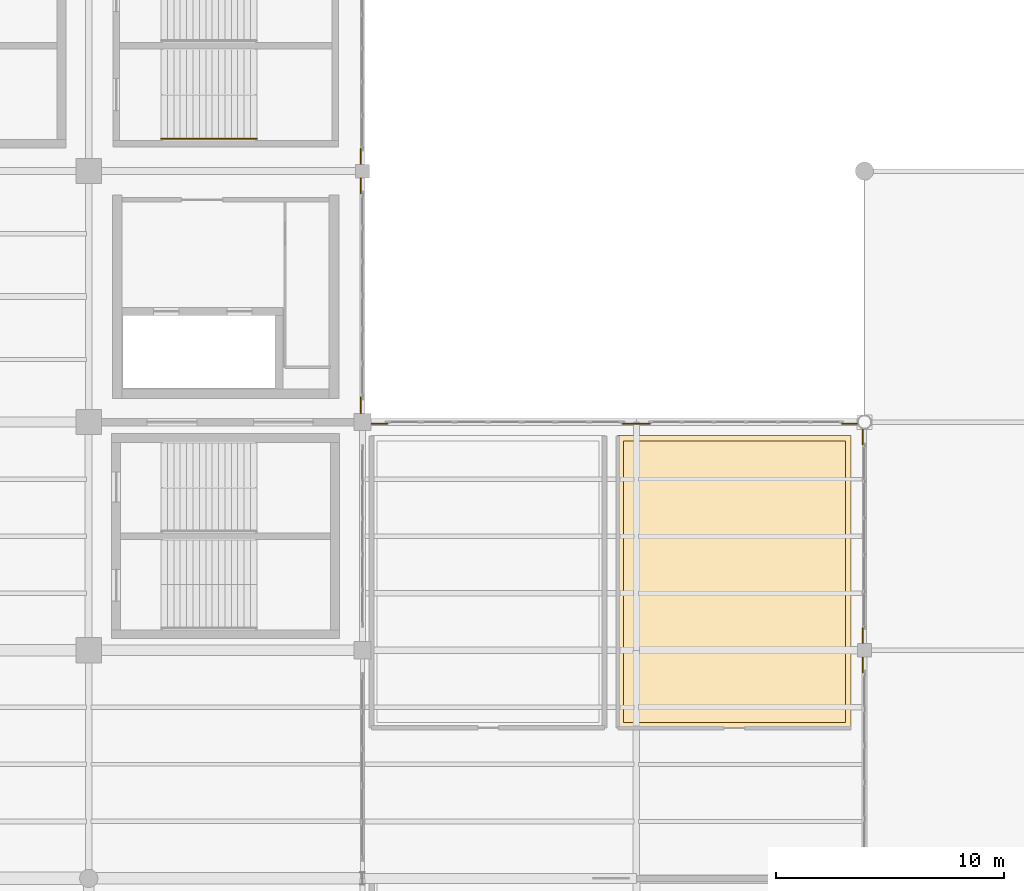
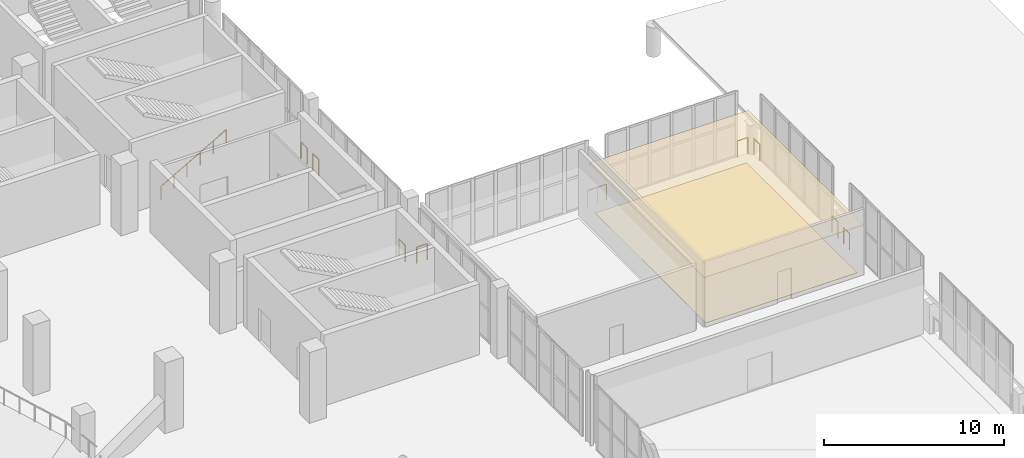
# One storey, part 135 of 136: 10 railings, 2 coverings.
"""IFC4 building model written with IfcOpenShell, lengths in metres."""

import ifcopenshell
import ifcopenshell.guid

model = None  # the IFC model being written
_history = None  # IfcOwnerHistory: only IFC2X3 demands one
_inside = {}  # id of a spatial element -> (the spatial element, [elements in it])
_under = {}  # id of a project, library or spatial element -> (it, [spatial elements below it])
_declared = {}  # id of a project -> (the project, [libraries it declares])
_typed = {}  # id of a type object -> (the type object, [elements of that type])
_made_of = {}  # id of a material, layer set ... -> (it, [elements and type objects made of it])


def new_model(schema):
    """Start an empty IFC model of exactly this schema.

    Asked for "IFC4X3", IfcOpenShell would pick the latest addendum, in which some entities
    have other attributes; the version numbers below select the first issue.
    IFC2X3 requires an IfcOwnerHistory on every rooted entity: one is made here for all.
    """
    global model, _history
    if schema == "IFC4X3":
        model = ifcopenshell.file(schema_version=(4, 3, 0, 0))
    else:
        model = ifcopenshell.file(schema=schema)
    _inside.clear()
    _under.clear()
    _declared.clear()
    _typed.clear()
    _made_of.clear()
    _history = None
    if model.schema == "IFC2X3":
        org = make("IfcOrganization", Name="unknown")
        user = make(
            "IfcPersonAndOrganization",
            ThePerson=make("IfcPerson", FamilyName="unknown"),
            TheOrganization=org,
        )
        app = make(
            "IfcApplication",
            ApplicationDeveloper=org,
            Version="unknown",
            ApplicationFullName="unknown",
            ApplicationIdentifier="unknown",
        )
        _history = make(
            "IfcOwnerHistory",
            OwningUser=user,
            OwningApplication=app,
            ChangeAction="ADDED",
            CreationDate=0,
        )
    return model


def make(cls, **values):
    """One entity of the class cls with the attributes given. An attribute that is None is left unset."""
    return model.create_entity(
        cls, **{name: value for name, value in values.items() if value is not None}
    )


def rooted(cls, **values):
    """An entity with a GlobalId (a new one), such as an element, a storey or a relation."""
    return make(cls, GlobalId=ifcopenshell.guid.new(), OwnerHistory=_history, **values)


def si_unit(unit_type, name, prefix=None):
    """IfcSIUnit, for example si_unit("LENGTHUNIT", "METRE", prefix="MILLI")."""
    return make("IfcSIUnit", UnitType=unit_type, Prefix=prefix, Name=name)


def assignment(units):
    """IfcUnitAssignment: the units of a project."""
    return None if units is None else make("IfcUnitAssignment", Units=units)


def point(xyz):
    """IfcCartesianPoint."""
    return None if xyz is None else make("IfcCartesianPoint", Coordinates=xyz)


def direction(xyz):
    """IfcDirection."""
    return None if xyz is None else make("IfcDirection", DirectionRatios=xyz)


def frame(location, z_axis=None, x_axis=None):
    """IfcAxis2Placement3D, a coordinate frame: its origin and axes. An axis left out is left unset."""
    return make(
        "IfcAxis2Placement3D",
        Location=point(location),
        Axis=direction(z_axis),
        RefDirection=direction(x_axis),
    )


def frame_2d(location, x_axis=None):
    """IfcAxis2Placement2D, a coordinate frame in the plane: its origin and x axis."""
    return make(
        "IfcAxis2Placement2D", Location=point(location), RefDirection=direction(x_axis)
    )


def origin():
    """The frame at (0, 0, 0) with its axes left unset."""
    return frame((0.0, 0.0, 0.0))


def origin_2d():
    """The frame at (0, 0) in the plane with its x axis left unset."""
    return frame_2d((0.0, 0.0))


def place(relative_to, where):
    """IfcLocalPlacement: puts the frame where relative to a parent placement (None: the world)."""
    return make(
        "IfcLocalPlacement", PlacementRelTo=relative_to, RelativePlacement=where
    )


def context(
    kind, dimensions, precision=None, world=None, true_north=None, identifier=None
):
    """IfcGeometricRepresentationContext, for example the 3D "Model" context."""
    return make(
        "IfcGeometricRepresentationContext",
        ContextIdentifier=identifier,
        ContextType=kind,
        CoordinateSpaceDimension=dimensions,
        Precision=precision,
        WorldCoordinateSystem=world,
        TrueNorth=true_north,
    )


def subcontext(parent, identifier, kind, view, scale=None):
    """IfcGeometricRepresentationSubContext, for example "Body" below "Model"."""
    return make(
        "IfcGeometricRepresentationSubContext",
        ContextIdentifier=identifier,
        ContextType=kind,
        ParentContext=parent,
        TargetScale=scale,
        TargetView=view,
    )


def project(units=None, contexts=None):
    """IfcProject with its units and contexts."""
    return rooted(
        "IfcProject",
        Name="project",
        RepresentationContexts=contexts,
        UnitsInContext=assignment(units),
    )


def spatial(cls, under=None, at=None, **own):
    """A site, building, storey or space (cls), placed at a placement, below another one or the project."""
    s = rooted(cls, ObjectPlacement=at, **own)
    if under is not None:
        _under.setdefault(under.id(), (under, []))[1].append(s)
    return s


def polyline(points):
    """IfcPolyline through the points."""
    return make("IfcPolyline", Points=[point(p) for p in points])


def profile(cls, at=None, kind="AREA", **sizes):
    """A parametric profile (cls). Its sizes go by their IFC names, for example OverallWidth=200.0."""
    return make(cls, ProfileType=kind, Position=at, **sizes)


def circle(**sizes):
    """IfcCircleProfileDef."""
    return profile("IfcCircleProfileDef", **sizes)


def outline(outer, holes=None, kind="AREA"):
    """IfcArbitraryClosedProfileDef: a profile drawn as a closed curve; with holes, ...WithVoids."""
    if holes is None:
        return make("IfcArbitraryClosedProfileDef", ProfileType=kind, OuterCurve=outer)
    return make(
        "IfcArbitraryProfileDefWithVoids",
        ProfileType=kind,
        OuterCurve=outer,
        InnerCurves=holes,
    )


def extrude(swept, where, along, depth):
    """IfcExtrudedAreaSolid: the profile swept, set in the frame where, extruded along a direction by depth."""
    return make(
        "IfcExtrudedAreaSolid",
        SweptArea=swept,
        Position=where,
        ExtrudedDirection=direction(along),
        Depth=depth,
    )


def shape(context_of_items, identifier, shape_type, items):
    """IfcShapeRepresentation: the items that make up one representation, for example the "Body"."""
    return make(
        "IfcShapeRepresentation",
        ContextOfItems=context_of_items,
        RepresentationIdentifier=identifier,
        RepresentationType=shape_type,
        Items=items,
    )


def material(Name=None, Category=None):
    """IfcMaterial."""
    return make("IfcMaterial", Name=Name, Category=Category)


def layer(
    of_material, thickness, ventilated=None, Name=None, Category=None, Priority=None
):
    """IfcMaterialLayer: one layer of a wall or slab, of a material (None: an air gap)."""
    return make(
        "IfcMaterialLayer",
        Material=of_material,
        LayerThickness=thickness,
        IsVentilated=ventilated,
        Name=Name,
        Category=Category,
        Priority=Priority,
    )


def layer_set(layers, Name=None):
    """IfcMaterialLayerSet."""
    return make("IfcMaterialLayerSet", MaterialLayers=layers, LayerSetName=Name)


def made_of(thing, what):
    """Note that an element or type object is made of a material, layer set ...; save() writes the relation."""
    if what is not None:
        _made_of.setdefault(what.id(), (what, []))[1].append(thing)
    return thing


def type_object(cls, material=None, **own):
    """A type object (cls), such as IfcWallType, which elements share."""
    return made_of(rooted(cls, **own), material)


def element(
    cls,
    number,
    at=None,
    inside=None,
    cuts=None,
    type_object=None,
    material=None,
    context=None,
    identifier="Body",
    shape_type=None,
    held_by="IfcProductDefinitionShape",
    body=None,
    shapes=None,
    **own,
):
    """One element of the class cls, such as IfcWall. Its Tag is "e" and its number.

    at: its placement. inside: the storey or other place that contains it. cuts: it is an
    opening in that element (IfcRelVoidsElement). A single representation is given by context,
    identifier, shape_type and body (its items); several are given by shapes. held_by: the class
    of the entity that holds the representations. save() writes the other relations.
    """
    e = rooted(cls, Tag="e%d" % number, ObjectPlacement=at, **own)
    if body is not None:
        shapes = [shape(context, identifier, shape_type, body)]
    if shapes is not None:
        e.Representation = make(held_by, Representations=shapes)
    if inside is not None:
        _inside.setdefault(inside.id(), (inside, []))[1].append(e)
    if cuts is not None:
        rooted(
            "IfcRelVoidsElement", RelatingBuildingElement=cuts, RelatedOpeningElement=e
        )
    if type_object is not None:
        _typed.setdefault(type_object.id(), (type_object, []))[1].append(e)
    return made_of(e, material)


def aggregate(whole, parts):
    """IfcRelAggregates: a whole, such as a stair, and the parts it consists of."""
    return rooted("IfcRelAggregates", RelatingObject=whole, RelatedObjects=parts)


def save(model, path):
    """Write the relations noted so far, then the file.

    IfcRelAggregates (storeys below a building ...), IfcRelContainedInSpatialStructure (elements
    in a storey), IfcRelDefinesByType, IfcRelAssociatesMaterial and IfcRelDeclares: one each for
    every whole, place, type object, material and project.
    """
    for whole, parts in _under.values():
        aggregate(whole, parts)
    for where, things in _inside.values():
        rooted(
            "IfcRelContainedInSpatialStructure",
            RelatedElements=things,
            RelatingStructure=where,
        )
    for kind, things in _typed.values():
        rooted("IfcRelDefinesByType", RelatedObjects=things, RelatingType=kind)
    for what, things in _made_of.values():
        rooted("IfcRelAssociatesMaterial", RelatedObjects=things, RelatingMaterial=what)
    for by, libraries in _declared.values():
        rooted("IfcRelDeclares", RelatingContext=by, RelatedDefinitions=libraries)
    model.write(path)


model = new_model("IFC4")

# Units and contexts
model_context = context("Model", 3, precision=1e-05, world=origin(), true_north=direction((0.0, 1.0)))
body_context = subcontext(model_context, "Body", "Model", "MODEL_VIEW")
ifc_project = project(units=[si_unit("LENGTHUNIT", "METRE"), si_unit("AREAUNIT", "SQUARE_METRE"), si_unit("VOLUMEUNIT", "CUBIC_METRE"), si_unit("PLANEANGLEUNIT", "RADIAN"), si_unit("MASSUNIT", "GRAM", prefix="KILO")], contexts=[model_context])

# Site, building, storey
site_placement = place(None, origin())
site = spatial("IfcSite", under=ifc_project, at=site_placement, CompositionType="ELEMENT")
building_placement = place(site_placement, origin())
building = spatial("IfcBuilding", under=site, at=building_placement, Name="Brinegate Civic Arena", CompositionType="ELEMENT")
storey_placement = place(building_placement, frame((0.0, 0.0, 5.39990234375)))
storey = spatial("IfcBuildingStorey", under=building, at=storey_placement, Name="L01", CompositionType="ELEMENT", Elevation=5.39990234375)

# Coverings
ifc_material_1 = material(Name="Acoustic perforated aluminium ceiling", Category="aluminium")
ifc_layer_1 = layer(ifc_material_1, 0.034912109375, Name="Acoustic perforated aluminium ceiling")
ifc_layer_set_1 = layer_set([ifc_layer_1], Name="Acoustic perforated aluminium ceiling")
covering_type_1 = type_object("IfcCoveringType", Name="CEILING-ACOUSTIC-35", PredefinedType="CEILING", material=ifc_layer_set_1)
covering_1_placement = place(storey_placement, frame((0.0, 0.0, 3.315185546875)))
element("IfcCovering", 1, at=covering_1_placement, inside=storey, type_object=covering_type_1, Name="Acoustic Ceiling L01-012", PredefinedType="CEILING", context=body_context, shape_type="SweptSolid", body=[
    extrude(outline(polyline([(189.404052734375, 81.419921875), (189.406005859375, 81.4189453125), (189.407958984375, 81.41796875), (189.408935546875, 81.41796875), (189.410888671875, 81.4169921875), (189.4130859375, 81.4150390625), (189.4140625, 81.4140625), (189.4150390625, 81.4130859375), (189.4169921875, 81.410888671875), (189.41796875, 81.408935546875), (189.41796875, 81.407958984375), (189.4189453125, 81.406005859375), (189.419921875, 81.404052734375), (189.419921875, 81.402099609375), (189.419921875, 81.39990234375), (189.419921875, 68.60009765625), (189.419921875, 68.597900390625), (189.419921875, 68.595947265625), (189.4189453125, 68.593994140625), (189.41796875, 68.592041015625), (189.41796875, 68.591064453125), (189.4169921875, 68.589111328125), (189.4150390625, 68.5869140625), (189.4140625, 68.5859375), (189.4130859375, 68.5849609375), (189.410888671875, 68.5830078125), (189.408935546875, 68.58203125), (189.407958984375, 68.58203125), (189.406005859375, 68.5810546875), (189.404052734375, 68.580078125), (189.402099609375, 68.580078125), (189.39990234375, 68.580078125), (179.199951171875, 68.580078125), (179.197998046875, 68.580078125), (179.196044921875, 68.580078125), (179.194091796875, 68.5810546875), (179.19189453125, 68.58203125), (179.19091796875, 68.58203125), (179.18896484375, 68.5830078125), (179.18701171875, 68.5849609375), (179.18603515625, 68.5859375), (179.18505859375, 68.5869140625), (179.18310546875, 68.589111328125), (179.181884765625, 68.591064453125), (179.181884765625, 68.592041015625), (179.180908203125, 68.593994140625), (179.179931640625, 68.595947265625), (179.179931640625, 68.597900390625), (179.179931640625, 68.60009765625), (179.179931640625, 81.39990234375), (179.179931640625, 81.402099609375), (179.179931640625, 81.404052734375), (179.180908203125, 81.406005859375), (179.181884765625, 81.407958984375), (179.181884765625, 81.408935546875), (179.18310546875, 81.410888671875), (179.18505859375, 81.4130859375), (179.18603515625, 81.4140625), (179.18701171875, 81.4150390625), (179.18896484375, 81.4169921875), (179.19091796875, 81.41796875), (179.19189453125, 81.41796875), (179.194091796875, 81.4189453125), (179.196044921875, 81.419921875), (179.197998046875, 81.419921875), (179.199951171875, 81.419921875), (189.39990234375, 81.419921875), (189.402099609375, 81.419921875), (189.404052734375, 81.419921875)])), origin(), (0.0, 0.0, 1.0), 0.034912109375),
])
ifc_material_2 = material(Name="Slip-resistant porcelain tile flooring")
ifc_layer_2 = layer(ifc_material_2, 0.02001953125, Name="Slip-resistant porcelain tile flooring")
ifc_layer_set_2 = layer_set([ifc_layer_2], Name="Slip-resistant porcelain tile flooring")
covering_type_2 = type_object("IfcCoveringType", Name="FLOORING-PORCELAIN-20", PredefinedType="FLOORING", material=ifc_layer_set_2)
covering_2_placement = place(storey_placement, origin())
element("IfcCovering", 2, at=covering_2_placement, inside=storey, type_object=covering_type_2, Name="Flooring L01-012", PredefinedType="FLOORING", context=body_context, shape_type="SweptSolid", body=[
    extrude(outline(polyline([(179.429931640625, 68.830078125), (179.429931640625, 81.169921875), (189.169921875, 81.169921875), (189.169921875, 68.830078125), (179.429931640625, 68.830078125)])), origin(), (0.0, 0.0, 1.0), 0.02001953125),
])

# Railings
ifc_material_3 = material(Name="Architectural stainless steel balustrade", Category="steel")
railing_type_1 = type_object("IfcRailingType", Name="RAIL-STAIR-HANDRAIL-900", PredefinedType="HANDRAIL", material=ifc_material_3)
railing_1_placement = place(storey_placement, frame((159.169921875, 94.425048828125, 0.0)))
element("IfcRailing", 3, at=railing_1_placement, inside=storey, type_object=railing_type_1, Name="Stair Pitch Handrail ST-20A L01", PredefinedType="HANDRAIL", context=body_context, shape_type="SweptSolid", body=[
    extrude(circle(Radius=0.02392578125, at=origin_2d()), frame((0.001220703125, 0.0, 0.876708984375), z_axis=(0.868240036425, 0.0, 0.496144373291), x_axis=(0.0, 1.0, 0.0)), (0.0, 0.0, 1.0), 4.834716796875),
    extrude(circle(Radius=0.02099609375, at=origin_2d()), origin(), (0.0, 0.0, 1.0), 0.849853515625),
    extrude(circle(Radius=0.02099609375, at=origin_2d()), frame((0.840087890625, 0.0, 0.47998046875)), (0.0, 0.0, 1.0), 0.849853515625),
    extrude(circle(Radius=0.02099609375, at=origin_2d()), frame((1.68017578125, 0.0, 0.9599609375)), (0.0, 0.0, 1.0), 0.849853515625),
    extrude(circle(Radius=0.02099609375, at=origin_2d()), frame((2.52001953125, 0.0, 1.440185546875)), (0.0, 0.0, 1.0), 0.849853515625),
    extrude(circle(Radius=0.02099609375, at=origin_2d()), frame((3.360107421875, 0.0, 1.920166015625)), (0.0, 0.0, 1.0), 0.849853515625),
    extrude(circle(Radius=0.02099609375, at=origin_2d()), frame((4.2001953125, 0.0, 2.400146484375)), (0.0, 0.0, 1.0), 0.849853515625),
])
railing_type_2 = type_object("IfcRailingType", Name="RAIL-VOID-BALUSTRADE-1120", PredefinedType="BALUSTRADE", material=ifc_material_3)
for number, where, name in (
    (4, (167.929931640625, 93.97412109375, 0.0), "Deck Edge Balustrade L01-039"),
    (5, (167.929931640625, 92.679931640625, 0.0), "Deck Edge Balustrade L01-040"),
):
    element("IfcRailing", number, at=place(storey_placement, frame(where)), inside=storey, type_object=railing_type_2, Name=name, PredefinedType="BALUSTRADE", context=body_context, shape_type="SweptSolid", body=[
        extrude(circle(Radius=0.02392578125, at=origin_2d()), frame((0.0, -0.00146484375, 1.09619140625), z_axis=(0.0, -1.0, 0.0), x_axis=(1.0, 0.0, 0.0)), (0.0, 0.0, 1.0), 0.651123046875),
        extrude(circle(Radius=0.02099609375, at=origin_2d()), origin(), (0.0, 0.0, 1.0), 1.070068359375),
        extrude(circle(Radius=0.02099609375, at=origin_2d()), frame((0.0, -0.654052734375, 0.0)), (0.0, 0.0, 1.0), 1.070068359375),
    ])
railing_2_placement = place(storey_placement, frame((167.929931640625, 83.080078125, 0.0)))
element("IfcRailing", 6, at=railing_2_placement, inside=storey, type_object=railing_type_2, Name="Deck Edge Balustrade L01-041", PredefinedType="BALUSTRADE", context=body_context, shape_type="SweptSolid", body=[
    extrude(circle(Radius=0.02392578125, at=origin_2d()), frame((0.0, -0.00146484375, 1.09619140625), z_axis=(0.0, -1.0, 0.0), x_axis=(1.0, 0.0, 0.0)), (0.0, 0.0, 1.0), 0.68212890625),
    extrude(circle(Radius=0.02099609375, at=origin_2d()), origin(), (0.0, 0.0, 1.0), 1.070068359375),
    extrude(circle(Radius=0.02099609375, at=origin_2d()), frame((0.0, -0.68505859375, 0.0)), (0.0, 0.0, 1.0), 1.070068359375),
])
railing_3_placement = place(storey_placement, frame((168.39501953125, 81.929931640625, 0.0)))
element("IfcRailing", 7, at=railing_3_placement, inside=storey, type_object=railing_type_2, Name="Deck Edge Balustrade L01-042", PredefinedType="BALUSTRADE", context=body_context, shape_type="SweptSolid", body=[
    extrude(circle(Radius=0.02392578125, at=origin_2d()), frame((0.00146484375, 0.0, 1.09619140625), z_axis=(1.0, 0.0, 0.0), x_axis=(0.0, 1.0, 0.0)), (0.0, 0.0, 1.0), 0.68212890625),
    extrude(circle(Radius=0.02099609375, at=origin_2d()), origin(), (0.0, 0.0, 1.0), 1.070068359375),
    extrude(circle(Radius=0.02099609375, at=origin_2d()), frame((0.68505859375, 0.0, 0.0)), (0.0, 0.0, 1.0), 1.070068359375),
])
railing_4_placement = place(storey_placement, frame((179.39990234375, 81.929931640625, 0.0)))
element("IfcRailing", 8, at=railing_4_placement, inside=storey, type_object=railing_type_2, Name="Deck Edge Balustrade L01-043", PredefinedType="BALUSTRADE", context=body_context, shape_type="SweptSolid", body=[
    extrude(circle(Radius=0.02392578125, at=origin_2d()), frame((0.00146484375, 0.0, 1.09619140625), z_axis=(1.0, 0.0, 0.0), x_axis=(0.0, 1.0, 0.0)), (0.0, 0.0, 1.0), 1.197265625),
    extrude(circle(Radius=0.02099609375, at=origin_2d()), origin(), (0.0, 0.0, 1.0), 1.070068359375),
    extrude(circle(Radius=0.02099609375, at=origin_2d()), frame((0.60009765625, 0.0, 0.0)), (0.0, 0.0, 1.0), 1.070068359375),
    extrude(circle(Radius=0.02099609375, at=origin_2d()), frame((1.2001953125, 0.0, 0.0)), (0.0, 0.0, 1.0), 1.070068359375),
])
railing_5_placement = place(storey_placement, frame((189.01904296875, 81.929931640625, 0.0)))
element("IfcRailing", 9, at=railing_5_placement, inside=storey, type_object=railing_type_2, Name="Deck Edge Balustrade L01-044", PredefinedType="BALUSTRADE", context=body_context, shape_type="SweptSolid", body=[
    extrude(circle(Radius=0.02392578125, at=origin_2d()), frame((0.00146484375, 0.0, 1.09619140625), z_axis=(1.0, 0.0, 0.0), x_axis=(0.0, 1.0, 0.0)), (0.0, 0.0, 1.0), 0.653076171875),
    extrude(circle(Radius=0.02099609375, at=origin_2d()), origin(), (0.0, 0.0, 1.0), 1.070068359375),
    extrude(circle(Radius=0.02099609375, at=origin_2d()), frame((0.656005859375, 0.0, 0.0)), (0.0, 0.0, 1.0), 1.070068359375),
])
railing_6_placement = place(storey_placement, frame((189.929931640625, 81.675048828125, 0.0)))
element("IfcRailing", 10, at=railing_6_placement, inside=storey, type_object=railing_type_2, Name="Deck Edge Balustrade L01-045", PredefinedType="BALUSTRADE", context=body_context, shape_type="SweptSolid", body=[
    extrude(circle(Radius=0.02392578125, at=origin_2d()), frame((0.0, -0.00146484375, 1.09619140625), z_axis=(0.0, -1.0, 0.0), x_axis=(1.0, 0.0, 0.0)), (0.0, 0.0, 1.0), 0.653076171875),
    extrude(circle(Radius=0.02099609375, at=origin_2d()), origin(), (0.0, 0.0, 1.0), 1.070068359375),
    extrude(circle(Radius=0.02099609375, at=origin_2d()), frame((0.0, -0.656005859375, 0.0)), (0.0, 0.0, 1.0), 1.070068359375),
])
for number, where, name in (
    (11, (189.929931640625, 72.97412109375, 0.0), "Deck Edge Balustrade L01-046"),
    (12, (189.929931640625, 71.679931640625, 0.0), "Deck Edge Balustrade L01-047"),
):
    element("IfcRailing", number, at=place(storey_placement, frame(where)), inside=storey, type_object=railing_type_2, Name=name, PredefinedType="BALUSTRADE", context=body_context, shape_type="SweptSolid", body=[
        extrude(circle(Radius=0.02392578125, at=origin_2d()), frame((0.0, -0.00146484375, 1.09619140625), z_axis=(0.0, -1.0, 0.0), x_axis=(1.0, 0.0, 0.0)), (0.0, 0.0, 1.0), 0.651123046875),
        extrude(circle(Radius=0.02099609375, at=origin_2d()), origin(), (0.0, 0.0, 1.0), 1.070068359375),
        extrude(circle(Radius=0.02099609375, at=origin_2d()), frame((0.0, -0.654052734375, 0.0)), (0.0, 0.0, 1.0), 1.070068359375),
    ])

save(model, "model.ifc")
